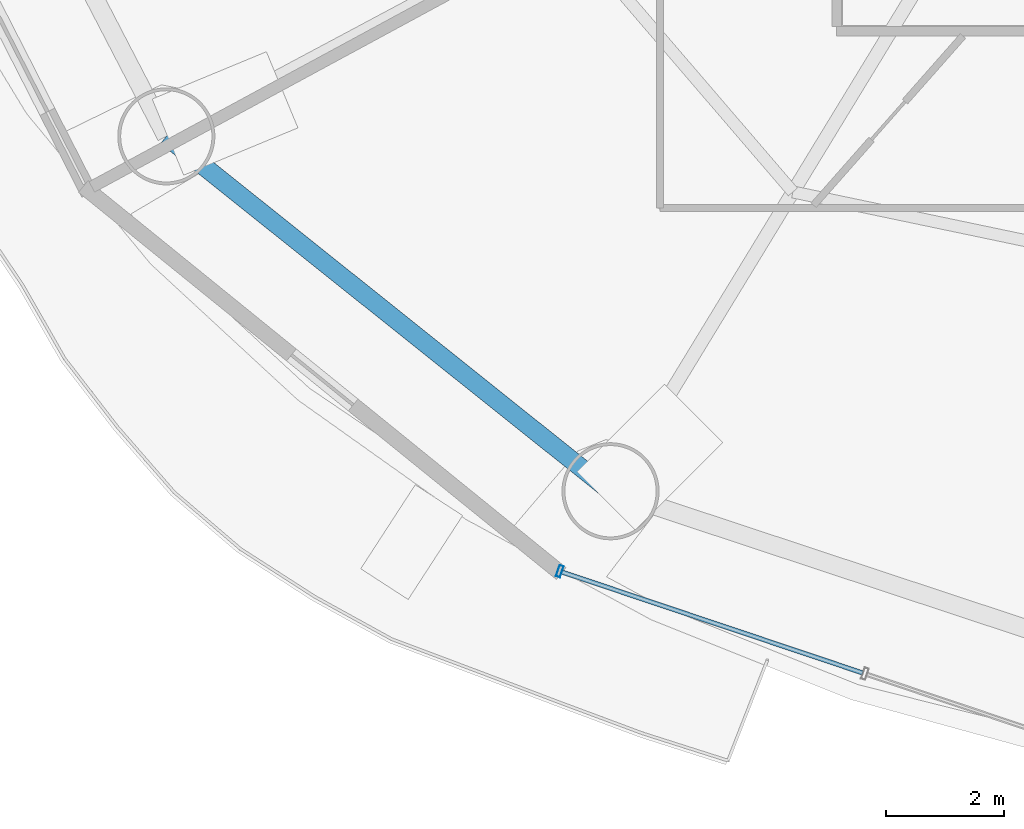
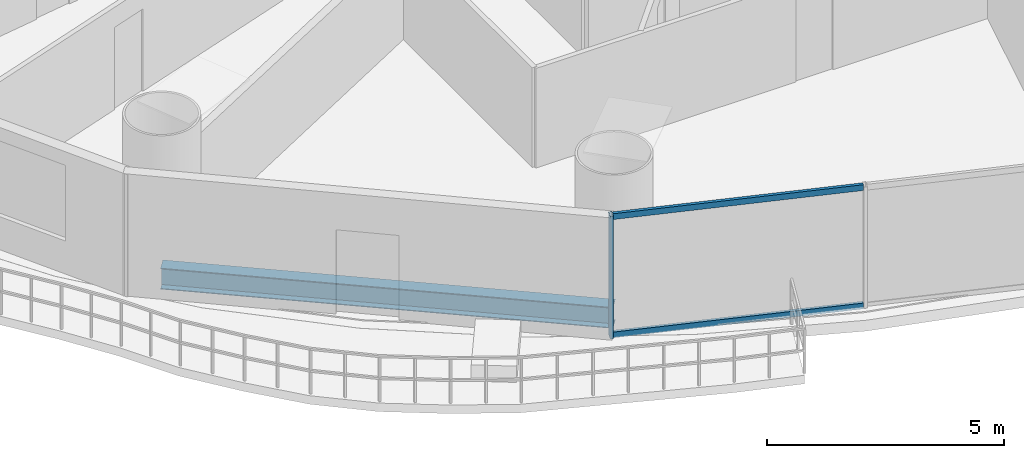
# One storey, part 2 of 29: 3 members, 1 beam, 1 element without a shape of its own.
"""IFC4 building model written with IfcOpenShell, lengths in metres."""

from ifc_helpers import new_model, si_unit, direction, frame, origin, origin_2d, place, context, subcontext, project, spatial, hollow_rectangle, i_section, extrude, source, transform, mapped, material, material_profile, profile_set, type_object, element, aggregate, save


model = new_model("IFC4")

# Units and contexts
model_context = context("Model", 3, precision=1e-05, world=origin(), true_north=direction((-0.2419218956, 0.970295726276)))
body_context = subcontext(model_context, "Body", "Model", "MODEL_VIEW")
ifc_project = project(units=[si_unit("LENGTHUNIT", "METRE"), si_unit("AREAUNIT", "SQUARE_METRE"), si_unit("VOLUMEUNIT", "CUBIC_METRE"), si_unit("PLANEANGLEUNIT", "RADIAN"), si_unit("MASSUNIT", "GRAM", prefix="KILO")], contexts=[model_context])

# Site, building, storey
site_placement = place(None, origin())
site = spatial("IfcSite", under=ifc_project, at=site_placement, CompositionType="ELEMENT")
building_placement = place(site_placement, origin())
building = spatial("IfcBuilding", under=site, at=building_placement, Name="Cobrevalo Terracotta Tower", CompositionType="ELEMENT")
storey_placement = place(building_placement, frame((0.0, 0.0, 70.800048828125)))
storey = spatial("IfcBuildingStorey", under=building, at=storey_placement, Name="L18", CompositionType="ELEMENT", Elevation=70.800048828125)

# Beam
ifc_material_1 = material(Name="Steel S355", Category="steel")
ifc_material_profile_1 = material_profile(ifc_material_1, i_section(OverallWidth=0.31201171875, OverallDepth=0.54296875, WebThickness=0.0126953125, FlangeThickness=0.020263671875, at=origin_2d()), Name="W 530x150")
ifc_profile_set_1 = profile_set([ifc_material_profile_1], Name="Steel S355")
beam_type = type_object("IfcBeamType", Name="Structural Spandrel W 530x150 (Steel S355)", PredefinedType="SPANDREL", material=ifc_profile_set_1)
beam_placement = place(storey_placement, frame((15.25927734375, 14.660888671875, -0.551513671875), z_axis=(0.781280479891, -0.62418011162, 0.0), x_axis=(0.62418011162, 0.781280479891, 0.0)))
element("IfcBeam", 1, at=beam_placement, inside=storey, type_object=beam_type, Name="L18 perimeter ring spandrel 10", PredefinedType="SPANDREL", context=body_context, shape_type="SweptSolid", body=[
    extrude(i_section(OverallWidth=0.31201171875, OverallDepth=0.54296875, WebThickness=0.0126953125, FlangeThickness=0.020263671875, at=origin_2d()), origin(), (0.0, 0.0, 1.0), 9.658447265625),
])

# Curtain wall, members
ifc_material_2 = material(Name="Anodized aluminium", Category="aluminium")
curtain_wall_type = type_object("IfcCurtainWallType", Name="Lower-tower unitised acoustic low-E curtain wall CW-U1", PredefinedType="NOTDEFINED", material=ifc_material_2)
curtain_wall_placement = place(storey_placement, origin())
curtain_wall = element("IfcCurtainWall", 2, at=curtain_wall_placement, inside=storey, type_object=curtain_wall_type, Name="L18 curtain wall CW-L18-S11", PredefinedType="NOTDEFINED")
ifc_material_profile_2 = material_profile(ifc_material_2, hollow_rectangle(XDim=0.074951171875, YDim=0.14990234375, WallThickness=0.00439453125, at=origin_2d()), Name="CWT 75x150")
ifc_profile_set_2 = profile_set([ifc_material_profile_2], Name="Anodized aluminium")
member_type_1 = type_object("IfcMemberType", Name="Tower unitised aluminium transom 75x150", PredefinedType="USERDEFINED", material=ifc_profile_set_2)
shared_shape_1 = source(origin(), body_context, "Body", "SweptSolid", [
    extrude(hollow_rectangle(XDim=0.074951171875, YDim=0.14990234375, WallThickness=0.00439453125, at=origin_2d()), origin(), (0.0, 0.0, 1.0), 5.387939453125),
])
member_1_placement = place(storey_placement, frame((21.98095703125, 7.260009765625, 0.050048828125), z_axis=(0.94804244582, -0.318143868278, 0.0), x_axis=(0.318143868278, 0.94804244582, 0.0)))
member_1 = element("IfcMember", 3, at=member_1_placement, type_object=member_type_1, Name="CW-L18-S11 transom B01-T1", ObjectType="TRANSOM", PredefinedType="USERDEFINED", context=body_context, shape_type="MappedRepresentation", body=[
    mapped(shared_shape_1, transform((0.0, 0.0, 0.0), scale=1.0)),
])
member_2_placement = place(storey_placement, frame((21.98095703125, 7.260009765625, 3.099853515625), z_axis=(0.94804244582, -0.318143868278, 0.0), x_axis=(0.318143868278, 0.94804244582, 0.0)))
member_2 = element("IfcMember", 4, at=member_2_placement, type_object=member_type_1, Name="CW-L18-S11 transom B01-T2", ObjectType="TRANSOM", PredefinedType="USERDEFINED", context=body_context, shape_type="MappedRepresentation", body=[
    mapped(shared_shape_1, transform((0.0, 0.0, 0.0), scale=1.0)),
])
ifc_material_profile_3 = material_profile(ifc_material_2, hollow_rectangle(XDim=0.074951171875, YDim=0.199951171875, WallThickness=0.0048828125, at=origin_2d()), Name="CWM 75x200")
ifc_profile_set_3 = profile_set([ifc_material_profile_3], Name="Anodized aluminium")
member_type_2 = type_object("IfcMemberType", Name="Lower/mid tower unitised mullion 75x200", PredefinedType="MULLION", material=ifc_profile_set_3)
shared_shape_2 = source(origin(), body_context, "Body", "SweptSolid", [
    extrude(hollow_rectangle(XDim=0.074951171875, YDim=0.199951171875, WallThickness=0.0048828125, at=origin_2d()), origin(), (0.0, 0.0, 1.0), 3.14990234375),
])
member_3_placement = place(storey_placement, frame((21.943115234375, 7.272705078125, 0.0), z_axis=(0.0, 0.0, 1.0), x_axis=(0.948046393597, -0.318132103987, 0.0)))
member_3 = element("IfcMember", 5, at=member_3_placement, type_object=member_type_2, Name="CW-L18-S11 vertical mullion 01", PredefinedType="MULLION", context=body_context, shape_type="MappedRepresentation", body=[
    mapped(shared_shape_2, transform((0.0, 0.0, 0.0), scale=1.0)),
])
aggregate(curtain_wall, [member_3, member_1, member_2])

save(model, "model.ifc")
